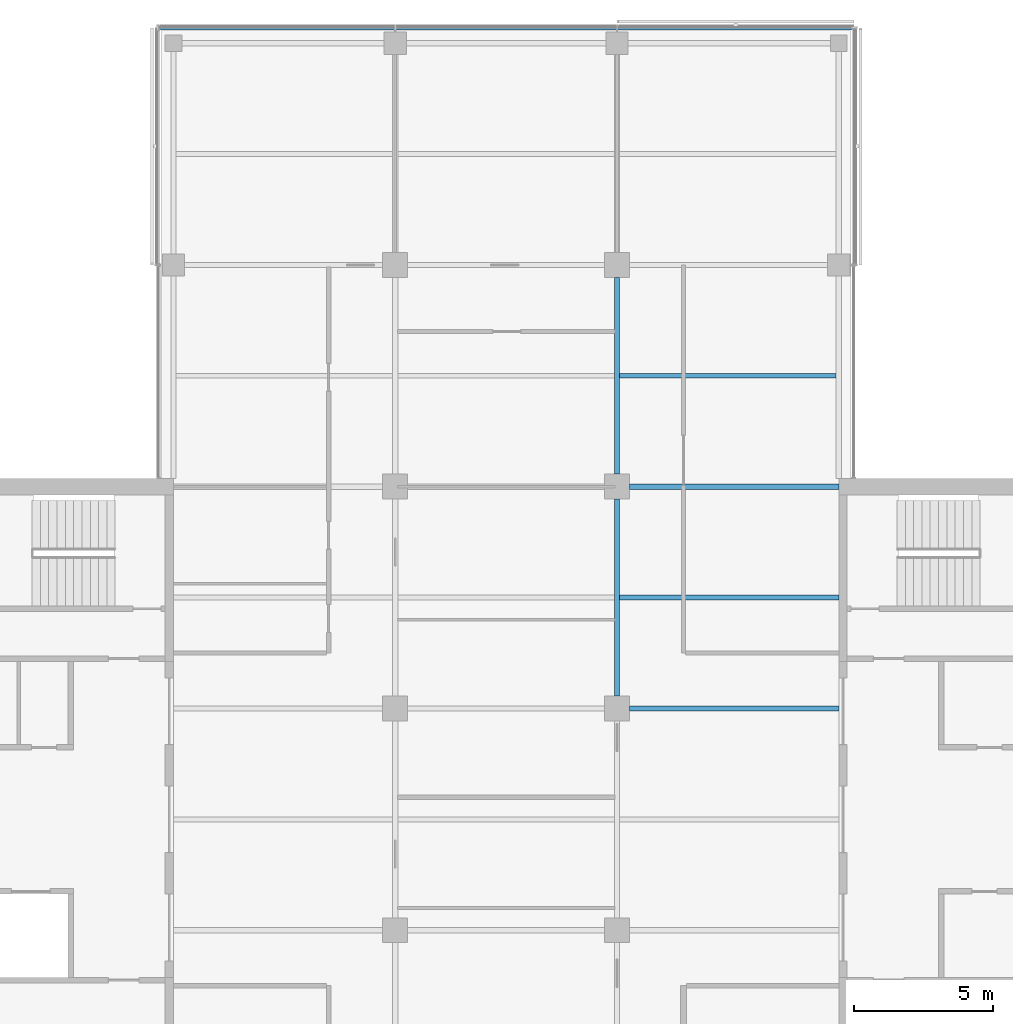
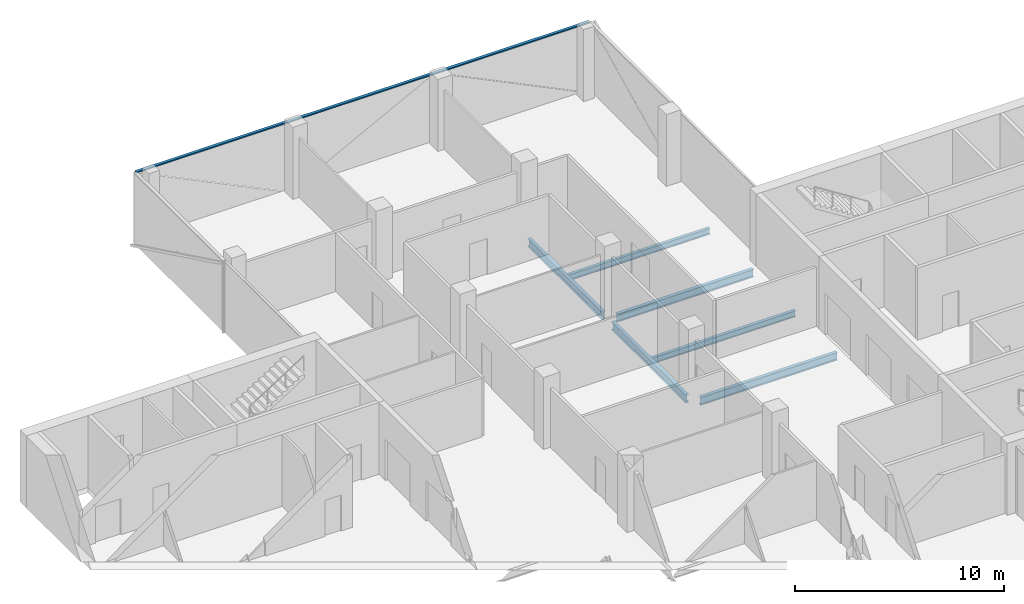
# One storey, part 6 of 15: 6 beams, 1 member, 1 element without a shape of its own.
"""IFC4 building model written with IfcOpenShell, lengths in metres."""

from ifc_helpers import new_model, si_unit, direction, frame, origin, origin_2d, place, context, subcontext, project, spatial, rectangle, i_section, extrude, material, material_profile, profile_set, type_object, element, aggregate, save


model = new_model("IFC4")

# Units and contexts
model_context = context("Model", 3, precision=1e-05, world=origin(), true_north=direction((0.0, 1.0)))
body_context = subcontext(model_context, "Body", "Model", "MODEL_VIEW")
ifc_project = project(units=[si_unit("LENGTHUNIT", "METRE"), si_unit("AREAUNIT", "SQUARE_METRE"), si_unit("VOLUMEUNIT", "CUBIC_METRE"), si_unit("PLANEANGLEUNIT", "RADIAN"), si_unit("MASSUNIT", "GRAM", prefix="KILO")], contexts=[model_context])

# Site, building, storey
site_placement = place(None, origin())
site = spatial("IfcSite", under=ifc_project, at=site_placement, CompositionType="ELEMENT")
building_placement = place(site_placement, origin())
building = spatial("IfcBuilding", under=site, at=building_placement, Name="Crosswind Convention Tower", CompositionType="ELEMENT")
storey_placement = place(building_placement, frame((0.0, 0.0, 191.5)))
storey = spatial("IfcBuildingStorey", under=building, at=storey_placement, Name="L40", CompositionType="ELEMENT", Elevation=191.5)

# Beams
ifc_material_1 = material(Name="Steel S355", Category="steel")
ifc_material_profile_1 = material_profile(ifc_material_1, i_section(OverallWidth=0.1904296875, OverallDepth=0.457275390625, WebThickness=0.009033203125, FlangeThickness=0.014404296875, FilletRadius=0.01025390625, at=origin_2d()), Name="UB 457x191x75")
ifc_profile_set_1 = profile_set([ifc_material_profile_1], Name="Steel S355")
beam_type_1 = type_object("IfcBeamType", Name="Girder UB 457x191x75", PredefinedType="BEAM", material=ifc_profile_set_1)
for number, where, z_axis, x_axis, name in (
    (1, (129.0, 104.449951171875, -0.528564453125), (0.0, 1.0, 0.0), (-1.0, 0.0, 0.0), "B2 L40 girder 20"),
    (2, (129.0, 112.449951171875, -0.528564453125), (0.0, 1.0, 0.0), (-1.0, 0.0, 0.0), "B2 L40 girder 21"),
):
    element("IfcBeam", number, at=place(storey_placement, frame(where, z_axis=z_axis, x_axis=x_axis)), inside=storey, type_object=beam_type_1, Name=name, PredefinedType="BEAM", context=body_context, shape_type="SweptSolid", body=[
        extrude(i_section(OverallWidth=0.1904296875, OverallDepth=0.457275390625, WebThickness=0.009033203125, FlangeThickness=0.014404296875, FilletRadius=0.01025390625, at=origin_2d()), origin(), (0.0, 0.0, 1.0), 7.10009765625),
    ])
ifc_material_profile_2 = material_profile(ifc_material_1, i_section(OverallWidth=0.19140625, OverallDepth=0.460205078125, WebThickness=0.010009765625, FlangeThickness=0.01611328125, FilletRadius=0.01025390625, at=origin_2d()), Name="UB 457x191x82")
ifc_profile_set_2 = profile_set([ifc_material_profile_2], Name="Steel S355")
beam_type_2 = type_object("IfcBeamType", Name="Girder at core wall UB 457x191x82", PredefinedType="BEAM", material=ifc_profile_set_2)
for number, where, z_axis, x_axis, name in (
    (3, (129.449951171875, 104.0, -0.530029296875), (1.0, 0.0, 0.0), (0.0, 1.0, 0.0), "B23 L40 girder at core wall 7"),
    (4, (129.449951171875, 112.0, -0.530029296875), (1.0, 0.0, 0.0), (0.0, 1.0, 0.0), "B23 L40 girder at core wall 8"),
):
    element("IfcBeam", number, at=place(storey_placement, frame(where, z_axis=z_axis, x_axis=x_axis)), inside=storey, type_object=beam_type_2, Name=name, PredefinedType="BEAM", context=body_context, shape_type="SweptSolid", body=[
        extrude(i_section(OverallWidth=0.19140625, OverallDepth=0.460205078125, WebThickness=0.010009765625, FlangeThickness=0.01611328125, FilletRadius=0.01025390625, at=origin_2d()), origin(), (0.0, 0.0, 1.0), 7.550048828125),
    ])
ifc_material_profile_3 = material_profile(ifc_material_1, i_section(OverallWidth=0.172119140625, OverallDepth=0.358642578125, WebThickness=0.008056640625, FlangeThickness=0.012939453125, FilletRadius=0.01025390625, at=origin_2d()), Name="UB 356x171x57")
ifc_profile_set_3 = profile_set([ifc_material_profile_3], Name="Steel S355")
beam_type_3 = type_object("IfcBeamType", Name="Secondary beam UB 356x171x57", PredefinedType="JOIST", material=ifc_profile_set_3)
beam_1_placement = place(storey_placement, frame((129.09521484375, 108.0, -0.479248046875), z_axis=(1.0, 0.0, 0.0), x_axis=(0.0, 1.0, 0.0)))
element("IfcBeam", 5, at=beam_1_placement, inside=storey, type_object=beam_type_3, Name="B9 L40 secondary beam 19", PredefinedType="JOIST", context=body_context, shape_type="SweptSolid", body=[
    extrude(i_section(OverallWidth=0.172119140625, OverallDepth=0.358642578125, WebThickness=0.008056640625, FlangeThickness=0.012939453125, FilletRadius=0.01025390625, at=origin_2d()), origin(), (0.0, 0.0, 1.0), 7.90478515625),
])
beam_2_placement = place(storey_placement, frame((129.09521484375, 116.0, -0.479248046875), z_axis=(1.0, 0.0, 0.0), x_axis=(0.0, 1.0, 0.0)))
element("IfcBeam", 6, at=beam_2_placement, inside=storey, type_object=beam_type_3, Name="B9 L40 secondary beam 20", PredefinedType="JOIST", context=body_context, shape_type="SweptSolid", body=[
    extrude(i_section(OverallWidth=0.172119140625, OverallDepth=0.358642578125, WebThickness=0.008056640625, FlangeThickness=0.012939453125, FilletRadius=0.01025390625, at=origin_2d()), origin(), (0.0, 0.0, 1.0), 7.809814453125),
])

# Curtain wall, member
ifc_material_2 = material(Name="Aluminium unitised curtain wall", Category="aluminium")
curtain_wall_type = type_object("IfcCurtainWallType", Name="OFFICE UNITISED WALL 220", PredefinedType="USERDEFINED", material=ifc_material_2)
curtain_wall_placement = place(storey_placement, origin())
curtain_wall = element("IfcCurtainWall", 7, at=curtain_wall_placement, inside=storey, type_object=curtain_wall_type, Name="CW3 L40 N-TIP 1", ObjectType="UNITISED", PredefinedType="USERDEFINED")
ifc_material_3 = material(Name="Aluminium transom", Category="aluminium")
ifc_material_profile_4 = material_profile(ifc_material_3, rectangle(XDim=0.159912109375, YDim=0.070068359375, at=origin_2d()), Name="AL 160X70")
ifc_profile_set_4 = profile_set([ifc_material_profile_4], Name="Aluminium transom")
member_type = type_object("IfcMemberType", Name="TRANSOM 70X160", PredefinedType="USERDEFINED", material=ifc_profile_set_4)
member_placement = place(storey_placement, frame((137.52490234375, 128.56005859375, 3.864990234375), z_axis=(-1.0, 0.0, 0.0), x_axis=(0.0, -1.0, 0.0)))
member = element("IfcMember", 8, at=member_placement, type_object=member_type, Name="CW3 transom", ObjectType="TRANSOM", PredefinedType="USERDEFINED", context=body_context, shape_type="SweptSolid", body=[
    extrude(rectangle(XDim=0.159912109375, YDim=0.070068359375, at=origin_2d()), origin(), (0.0, 0.0, 1.0), 25.0498046875),
])
aggregate(curtain_wall, [member])

save(model, "model.ifc")
